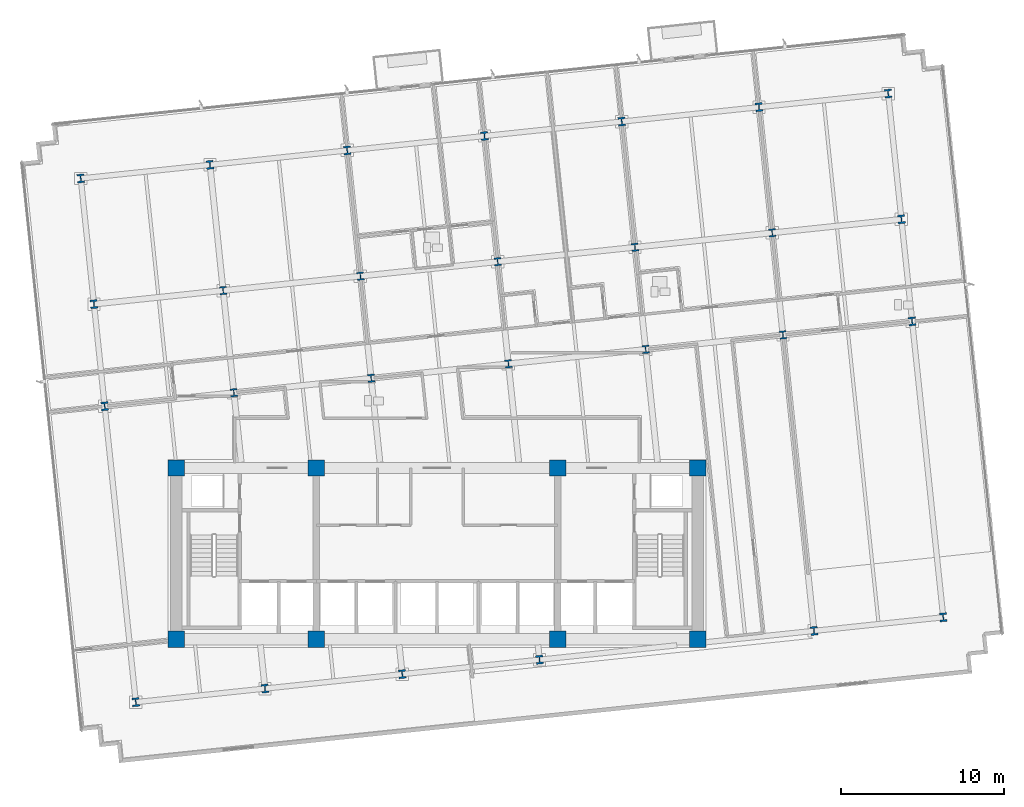
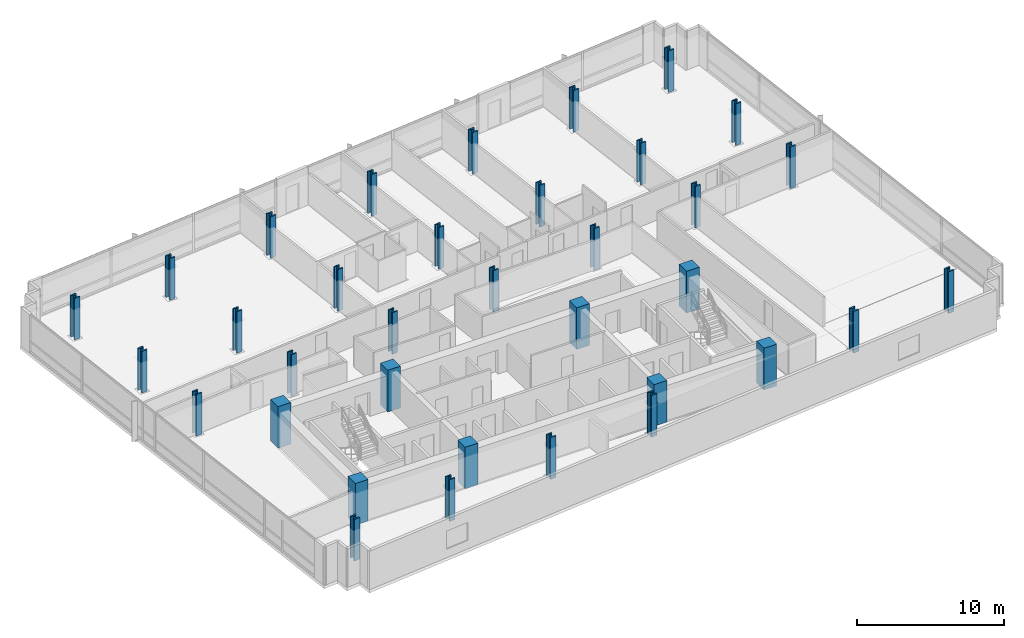
# One storey, part 1 of 17: 35 columns.
"""IFC4 building model written with IfcOpenShell, lengths in metres."""

from ifc_helpers import new_model, si_unit, direction, frame, origin, origin_2d, place, context, subcontext, project, spatial, rectangle, i_section, extrude, material, material_profile, profile_set, type_object, element, save


model = new_model("IFC4")

# Units and contexts
model_context = context("Model", 3, precision=1e-05, world=origin(), true_north=direction((0.0, 1.0)))
body_context = subcontext(model_context, "Body", "Model", "MODEL_VIEW")
ifc_project = project(units=[si_unit("LENGTHUNIT", "METRE"), si_unit("AREAUNIT", "SQUARE_METRE"), si_unit("VOLUMEUNIT", "CUBIC_METRE"), si_unit("PLANEANGLEUNIT", "RADIAN"), si_unit("MASSUNIT", "GRAM", prefix="KILO")], contexts=[model_context])

# Site, building, storey
site_placement = place(None, origin())
site = spatial("IfcSite", under=ifc_project, at=site_placement, CompositionType="ELEMENT")
building_placement = place(site_placement, origin())
building = spatial("IfcBuilding", under=site, at=building_placement, Name="Solmavex Isthmus Hotel", CompositionType="ELEMENT")
storey_placement = place(building_placement, frame((0.0, 0.0, 93.89990234375)))
storey = spatial("IfcBuildingStorey", under=building, at=storey_placement, Name="L25", CompositionType="ELEMENT", Elevation=93.89990234375)

# Columns
ifc_material_1 = material(Name="Concrete C60/75", Category="concrete")
ifc_material_profile_1 = material_profile(ifc_material_1, rectangle(XDim=1.0, YDim=1.0, at=origin_2d()), Name="RC1000X1000")
ifc_profile_set_1 = profile_set([ifc_material_profile_1], Name="Concrete C60/75")
column_type_1 = type_object("IfcColumnType", Name="COL-CC-1000", PredefinedType="COLUMN", material=ifc_profile_set_1)
for number, where, z_axis, x_axis, name in (
    (1, (-16.0, -13.0, 0.0), (0.0, 0.0, 1.0), (1.0, 0.0, 0.0), "Core Pilaster CC-SW L25"),
    (2, (-7.39990234375, -13.0, 0.0), (0.0, 0.0, 1.0), (1.0, 0.0, 0.0), "Core Pilaster CC-S1 L25"),
    (3, (7.39990234375, -13.0, 0.0), (0.0, 0.0, 1.0), (1.0, 0.0, 0.0), "Core Pilaster CC-S2 L25"),
    (4, (16.0, -13.0, 0.0), (0.0, 0.0, 1.0), (1.0, 0.0, 0.0), "Core Pilaster CC-SE L25"),
    (5, (-16.0, -2.5, 0.0), (0.0, 0.0, 1.0), (1.0, 0.0, 0.0), "Core Pilaster CC-NW L25"),
    (6, (-7.39990234375, -2.5, 0.0), (0.0, 0.0, 1.0), (1.0, 0.0, 0.0), "Core Pilaster CC-N1 L25"),
    (7, (7.39990234375, -2.5, 0.0), (0.0, 0.0, 1.0), (1.0, 0.0, 0.0), "Core Pilaster CC-N2 L25"),
    (8, (16.0, -2.5, 0.0), (0.0, 0.0, 1.0), (1.0, 0.0, 0.0), "Core Pilaster CC-NE L25"),
):
    element("IfcColumn", number, at=place(storey_placement, frame(where, z_axis=z_axis, x_axis=x_axis)), inside=storey, type_object=column_type_1, Name=name, PredefinedType="COLUMN", context=body_context, shape_type="SweptSolid", body=[
        extrude(rectangle(XDim=1.0, YDim=1.0, at=origin_2d()), origin(), (0.0, 0.0, 1.0), 3.4501953125),
    ])
ifc_material_2 = material(Name="Steel ASTM A913 Grade 65", Category="steel")
ifc_material_profile_2 = material_profile(ifc_material_2, i_section(OverallWidth=0.43212890625, OverallDepth=0.497802734375, WebThickness=0.0556640625, FlangeThickness=0.0888671875, FilletRadius=0.030517578125, at=origin_2d()), Name="W14X500")
ifc_profile_set_2 = profile_set([ifc_material_profile_2], Name="Steel ASTM A913 Grade 65")
column_type_2 = type_object("IfcColumnType", Name="COL-SC-W14X500", PredefinedType="COLUMN", material=ifc_profile_set_2)
for number, where, z_axis, x_axis, name in (
    (9, (-12.458740234375, 2.11865234375, 0.0), (0.0, 0.0, 1.0), (0.994521895368, 0.104528463268, 0.0), "Tower Column B2-U2V2 L25"),
    (10, (-13.1171875, 8.382080078125, 0.0), (0.0, 0.0, 1.0), (0.994521895368, 0.104528463268, 0.0), "Tower Column B2-U2V3 L25"),
    (11, (-4.0390625, 3.003662109375, 0.0), (0.0, 0.0, 1.0), (0.994521895368, 0.104528463268, 0.0), "Tower Column B2-U3V2 L25"),
    (12, (-4.697509765625, 9.26708984375, 0.0), (0.0, 0.0, 1.0), (0.994521895368, 0.104528463268, 0.0), "Tower Column B2-U3V3 L25"),
    (13, (4.38037109375, 3.888427734375, 0.0), (0.0, 0.0, 1.0), (0.994521895368, 0.104528463268, 0.0), "Tower Column B2-U4V2 L25"),
    (14, (3.72216796875, 10.152099609375, 0.0), (0.0, 0.0, 1.0), (0.994521895368, 0.104528463268, 0.0), "Tower Column B2-U4V3 L25"),
    (15, (12.800048828125, 4.7734375, 0.0), (0.0, 0.0, 1.0), (0.994521895368, 0.104528463268, 0.0), "Tower Column B2-U5V2 L25"),
    (16, (12.141845703125, 11.036865234375, 0.0), (0.0, 0.0, 1.0), (0.994521895368, 0.104528463268, 0.0), "Tower Column B2-U5V3 L25"),
    (17, (21.2197265625, 5.658447265625, 0.0), (0.0, 0.0, 1.0), (0.994521895368, 0.104528463268, 0.0), "Tower Column B2-U6V2 L25"),
    (18, (20.5615234375, 11.921875, 0.0), (0.0, 0.0, 1.0), (0.994521895368, 0.104528463268, 0.0), "Tower Column B2-U6V3 L25"),
):
    element("IfcColumn", number, at=place(storey_placement, frame(where, z_axis=z_axis, x_axis=x_axis)), inside=storey, type_object=column_type_2, Name=name, PredefinedType="COLUMN", context=body_context, shape_type="SweptSolid", body=[
        extrude(i_section(OverallWidth=0.43212890625, OverallDepth=0.497802734375, WebThickness=0.0556640625, FlangeThickness=0.0888671875, FilletRadius=0.030517578125, at=origin_2d()), origin(), (0.0, 0.0, 1.0), 3.4501953125),
    ])
ifc_material_profile_3 = material_profile(ifc_material_2, i_section(OverallWidth=0.442138671875, OverallDepth=0.531494140625, WebThickness=0.06591796875, FlangeThickness=0.105712890625, FilletRadius=0.030517578125, at=origin_2d()), Name="W14X605")
ifc_profile_set_3 = profile_set([ifc_material_profile_3], Name="Steel ASTM A913 Grade 65")
column_type_3 = type_object("IfcColumnType", Name="COL-SC-W14X605", PredefinedType="COLUMN", material=ifc_profile_set_3)
for number, where, z_axis, x_axis, name in (
    (19, (-18.475341796875, -16.8642578125, 0.0), (0.0, 0.0, 1.0), (0.994521895368, 0.104528463268, 0.0), "Tower Column B2-U1V1 L25"),
    (20, (-20.383056640625, 1.28564453125, 0.0), (0.0, 0.0, 1.0), (0.994521895368, 0.104528463268, 0.0), "Tower Column B2-U1V2 L25"),
    (21, (-21.04150390625, 7.54931640625, 0.0), (0.0, 0.0, 1.0), (0.994521895368, 0.104528463268, 0.0), "Tower Column B2-U1V3 L25"),
    (22, (-21.851806640625, 15.2587890625, 0.0), (0.0, 0.0, 1.0), (0.994521895368, 0.104528463268, 0.0), "Tower Column B2-U1V4 L25"),
    (23, (-10.551025390625, -16.031494140625, 0.0), (0.0, 0.0, 1.0), (0.994521895368, 0.104528463268, 0.0), "Tower Column B2-U2V1 L25"),
    (24, (-13.927490234375, 16.091552734375, 0.0), (0.0, 0.0, 1.0), (0.994521895368, 0.104528463268, 0.0), "Tower Column B2-U2V4 L25"),
    (25, (-2.131591796875, -15.146484375, 0.0), (0.0, 0.0, 1.0), (0.994521895368, 0.104528463268, 0.0), "Tower Column B2-U3V1 L25"),
    (26, (-5.5078125, 16.9765625, 0.0), (0.0, 0.0, 1.0), (0.994521895368, 0.104528463268, 0.0), "Tower Column B2-U3V4 L25"),
    (27, (6.2880859375, -14.261474609375, 0.0), (0.0, 0.0, 1.0), (0.994521895368, 0.104528463268, 0.0), "Tower Column B2-U4V1 L25"),
    (28, (2.911865234375, 17.861572265625, 0.0), (0.0, 0.0, 1.0), (0.994521895368, 0.104528463268, 0.0), "Tower Column B2-U4V4 L25"),
    (29, (11.33154296875, 18.74658203125, 0.0), (0.0, 0.0, 1.0), (0.994521895368, 0.104528463268, 0.0), "Tower Column B2-U5V4 L25"),
    (30, (23.12744140625, -12.49169921875, 0.0), (0.0, 0.0, 1.0), (0.994521895368, 0.104528463268, 0.0), "Tower Column B2-U6V1 L25"),
    (31, (19.751220703125, 19.63134765625, 0.0), (0.0, 0.0, 1.0), (0.994521895368, 0.104528463268, 0.0), "Tower Column B2-U6V4 L25"),
    (32, (31.0517578125, -11.65869140625, 0.0), (0.0, 0.0, 1.0), (0.994521895368, 0.104528463268, 0.0), "Tower Column B2-U7V1 L25"),
    (33, (29.14404296875, 6.4912109375, 0.0), (0.0, 0.0, 1.0), (0.994521895368, 0.104528463268, 0.0), "Tower Column B2-U7V2 L25"),
    (34, (28.48583984375, 12.754638671875, 0.0), (0.0, 0.0, 1.0), (0.994521895368, 0.104528463268, 0.0), "Tower Column B2-U7V3 L25"),
    (35, (27.675537109375, 20.46435546875, 0.0), (0.0, 0.0, 1.0), (0.994521895368, 0.104528463268, 0.0), "Tower Column B2-U7V4 L25"),
):
    element("IfcColumn", number, at=place(storey_placement, frame(where, z_axis=z_axis, x_axis=x_axis)), inside=storey, type_object=column_type_3, Name=name, PredefinedType="COLUMN", context=body_context, shape_type="SweptSolid", body=[
        extrude(i_section(OverallWidth=0.442138671875, OverallDepth=0.531494140625, WebThickness=0.06591796875, FlangeThickness=0.105712890625, FilletRadius=0.030517578125, at=origin_2d()), origin(), (0.0, 0.0, 1.0), 3.4501953125),
    ])

save(model, "model.ifc")
